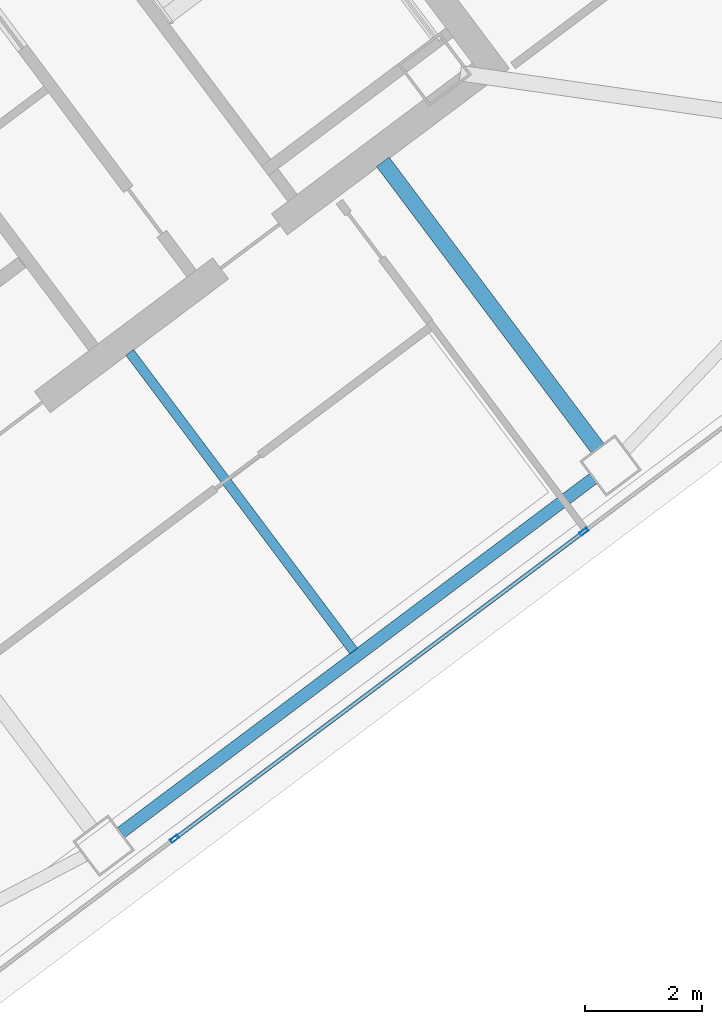
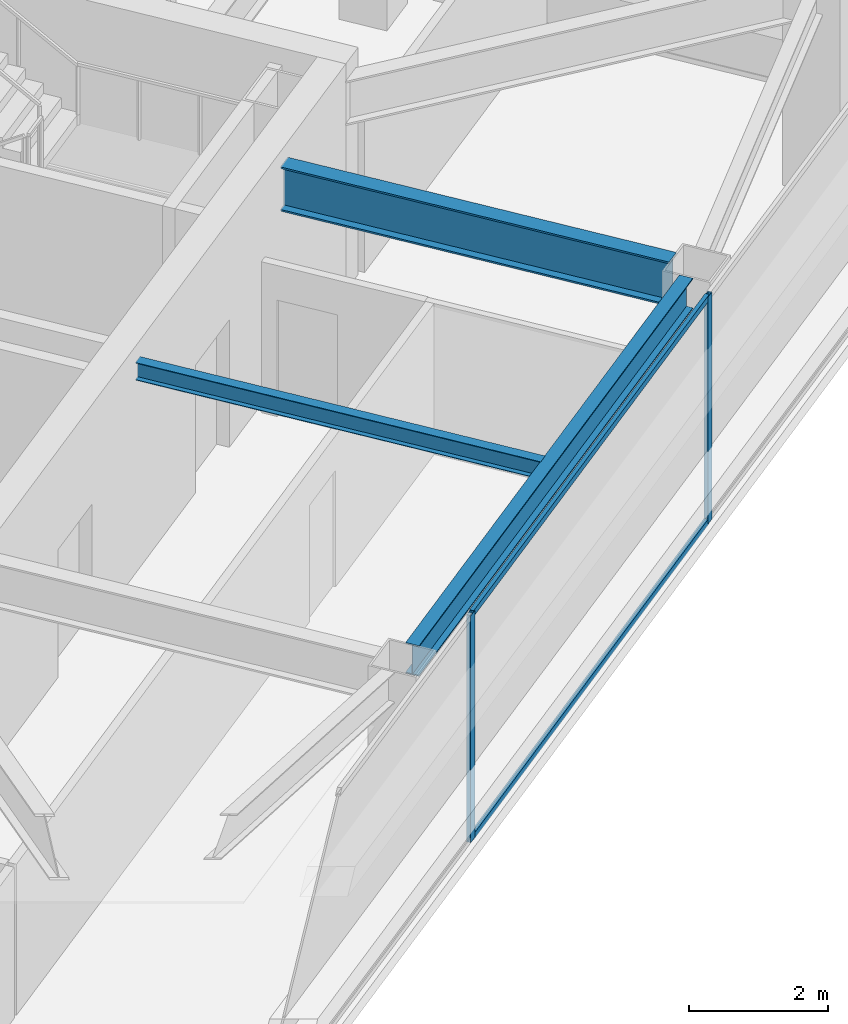
# One storey, part 31 of 51: 4 members, 3 beams, 1 element without a shape of its own.
"""IFC4 building model written with IfcOpenShell, lengths in metres."""

import ifcopenshell
import ifcopenshell.guid

model = None  # the IFC model being written
_history = None  # IfcOwnerHistory: only IFC2X3 demands one
_inside = {}  # id of a spatial element -> (the spatial element, [elements in it])
_under = {}  # id of a project, library or spatial element -> (it, [spatial elements below it])
_declared = {}  # id of a project -> (the project, [libraries it declares])
_typed = {}  # id of a type object -> (the type object, [elements of that type])
_made_of = {}  # id of a material, layer set ... -> (it, [elements and type objects made of it])


def new_model(schema):
    """Start an empty IFC model of exactly this schema.

    Asked for "IFC4X3", IfcOpenShell would pick the latest addendum, in which some entities
    have other attributes; the version numbers below select the first issue.
    IFC2X3 requires an IfcOwnerHistory on every rooted entity: one is made here for all.
    """
    global model, _history
    if schema == "IFC4X3":
        model = ifcopenshell.file(schema_version=(4, 3, 0, 0))
    else:
        model = ifcopenshell.file(schema=schema)
    _inside.clear()
    _under.clear()
    _declared.clear()
    _typed.clear()
    _made_of.clear()
    _history = None
    if model.schema == "IFC2X3":
        org = make("IfcOrganization", Name="unknown")
        user = make(
            "IfcPersonAndOrganization",
            ThePerson=make("IfcPerson", FamilyName="unknown"),
            TheOrganization=org,
        )
        app = make(
            "IfcApplication",
            ApplicationDeveloper=org,
            Version="unknown",
            ApplicationFullName="unknown",
            ApplicationIdentifier="unknown",
        )
        _history = make(
            "IfcOwnerHistory",
            OwningUser=user,
            OwningApplication=app,
            ChangeAction="ADDED",
            CreationDate=0,
        )
    return model


def make(cls, **values):
    """One entity of the class cls with the attributes given. An attribute that is None is left unset."""
    return model.create_entity(
        cls, **{name: value for name, value in values.items() if value is not None}
    )


def rooted(cls, **values):
    """An entity with a GlobalId (a new one), such as an element, a storey or a relation."""
    return make(cls, GlobalId=ifcopenshell.guid.new(), OwnerHistory=_history, **values)


def si_unit(unit_type, name, prefix=None):
    """IfcSIUnit, for example si_unit("LENGTHUNIT", "METRE", prefix="MILLI")."""
    return make("IfcSIUnit", UnitType=unit_type, Prefix=prefix, Name=name)


def assignment(units):
    """IfcUnitAssignment: the units of a project."""
    return None if units is None else make("IfcUnitAssignment", Units=units)


def point(xyz):
    """IfcCartesianPoint."""
    return None if xyz is None else make("IfcCartesianPoint", Coordinates=xyz)


def direction(xyz):
    """IfcDirection."""
    return None if xyz is None else make("IfcDirection", DirectionRatios=xyz)


def frame(location, z_axis=None, x_axis=None):
    """IfcAxis2Placement3D, a coordinate frame: its origin and axes. An axis left out is left unset."""
    return make(
        "IfcAxis2Placement3D",
        Location=point(location),
        Axis=direction(z_axis),
        RefDirection=direction(x_axis),
    )


def frame_2d(location, x_axis=None):
    """IfcAxis2Placement2D, a coordinate frame in the plane: its origin and x axis."""
    return make(
        "IfcAxis2Placement2D", Location=point(location), RefDirection=direction(x_axis)
    )


def origin():
    """The frame at (0, 0, 0) with its axes left unset."""
    return frame((0.0, 0.0, 0.0))


def origin_2d():
    """The frame at (0, 0) in the plane with its x axis left unset."""
    return frame_2d((0.0, 0.0))


def place(relative_to, where):
    """IfcLocalPlacement: puts the frame where relative to a parent placement (None: the world)."""
    return make(
        "IfcLocalPlacement", PlacementRelTo=relative_to, RelativePlacement=where
    )


def context(
    kind, dimensions, precision=None, world=None, true_north=None, identifier=None
):
    """IfcGeometricRepresentationContext, for example the 3D "Model" context."""
    return make(
        "IfcGeometricRepresentationContext",
        ContextIdentifier=identifier,
        ContextType=kind,
        CoordinateSpaceDimension=dimensions,
        Precision=precision,
        WorldCoordinateSystem=world,
        TrueNorth=true_north,
    )


def subcontext(parent, identifier, kind, view, scale=None):
    """IfcGeometricRepresentationSubContext, for example "Body" below "Model"."""
    return make(
        "IfcGeometricRepresentationSubContext",
        ContextIdentifier=identifier,
        ContextType=kind,
        ParentContext=parent,
        TargetScale=scale,
        TargetView=view,
    )


def project(units=None, contexts=None):
    """IfcProject with its units and contexts."""
    return rooted(
        "IfcProject",
        Name="project",
        RepresentationContexts=contexts,
        UnitsInContext=assignment(units),
    )


def spatial(cls, under=None, at=None, **own):
    """A site, building, storey or space (cls), placed at a placement, below another one or the project."""
    s = rooted(cls, ObjectPlacement=at, **own)
    if under is not None:
        _under.setdefault(under.id(), (under, []))[1].append(s)
    return s


def profile(cls, at=None, kind="AREA", **sizes):
    """A parametric profile (cls). Its sizes go by their IFC names, for example OverallWidth=200.0."""
    return make(cls, ProfileType=kind, Position=at, **sizes)


def hollow_rectangle(**sizes):
    """IfcRectangleHollowProfileDef."""
    return profile("IfcRectangleHollowProfileDef", **sizes)


def i_section(**sizes):
    """IfcIShapeProfileDef."""
    return profile("IfcIShapeProfileDef", **sizes)


def extrude(swept, where, along, depth):
    """IfcExtrudedAreaSolid: the profile swept, set in the frame where, extruded along a direction by depth."""
    return make(
        "IfcExtrudedAreaSolid",
        SweptArea=swept,
        Position=where,
        ExtrudedDirection=direction(along),
        Depth=depth,
    )


def shape(context_of_items, identifier, shape_type, items):
    """IfcShapeRepresentation: the items that make up one representation, for example the "Body"."""
    return make(
        "IfcShapeRepresentation",
        ContextOfItems=context_of_items,
        RepresentationIdentifier=identifier,
        RepresentationType=shape_type,
        Items=items,
    )


def material(Name=None, Category=None):
    """IfcMaterial."""
    return make("IfcMaterial", Name=Name, Category=Category)


def material_profile(
    of_material, cross_section, Name=None, Category=None, Priority=None
):
    """IfcMaterialProfile: a cross section and its material."""
    return make(
        "IfcMaterialProfile",
        Name=Name,
        Material=of_material,
        Profile=cross_section,
        Priority=Priority,
        Category=Category,
    )


def profile_set(profiles, Name=None, composite=None):
    """IfcMaterialProfileSet."""
    return make(
        "IfcMaterialProfileSet",
        Name=Name,
        MaterialProfiles=profiles,
        CompositeProfile=composite,
    )


def made_of(thing, what):
    """Note that an element or type object is made of a material, layer set ...; save() writes the relation."""
    if what is not None:
        _made_of.setdefault(what.id(), (what, []))[1].append(thing)
    return thing


def type_object(cls, material=None, **own):
    """A type object (cls), such as IfcWallType, which elements share."""
    return made_of(rooted(cls, **own), material)


def element(
    cls,
    number,
    at=None,
    inside=None,
    cuts=None,
    type_object=None,
    material=None,
    context=None,
    identifier="Body",
    shape_type=None,
    held_by="IfcProductDefinitionShape",
    body=None,
    shapes=None,
    **own,
):
    """One element of the class cls, such as IfcWall. Its Tag is "e" and its number.

    at: its placement. inside: the storey or other place that contains it. cuts: it is an
    opening in that element (IfcRelVoidsElement). A single representation is given by context,
    identifier, shape_type and body (its items); several are given by shapes. held_by: the class
    of the entity that holds the representations. save() writes the other relations.
    """
    e = rooted(cls, Tag="e%d" % number, ObjectPlacement=at, **own)
    if body is not None:
        shapes = [shape(context, identifier, shape_type, body)]
    if shapes is not None:
        e.Representation = make(held_by, Representations=shapes)
    if inside is not None:
        _inside.setdefault(inside.id(), (inside, []))[1].append(e)
    if cuts is not None:
        rooted(
            "IfcRelVoidsElement", RelatingBuildingElement=cuts, RelatedOpeningElement=e
        )
    if type_object is not None:
        _typed.setdefault(type_object.id(), (type_object, []))[1].append(e)
    return made_of(e, material)


def aggregate(whole, parts):
    """IfcRelAggregates: a whole, such as a stair, and the parts it consists of."""
    return rooted("IfcRelAggregates", RelatingObject=whole, RelatedObjects=parts)


def save(model, path):
    """Write the relations noted so far, then the file.

    IfcRelAggregates (storeys below a building ...), IfcRelContainedInSpatialStructure (elements
    in a storey), IfcRelDefinesByType, IfcRelAssociatesMaterial and IfcRelDeclares: one each for
    every whole, place, type object, material and project.
    """
    for whole, parts in _under.values():
        aggregate(whole, parts)
    for where, things in _inside.values():
        rooted(
            "IfcRelContainedInSpatialStructure",
            RelatedElements=things,
            RelatingStructure=where,
        )
    for kind, things in _typed.values():
        rooted("IfcRelDefinesByType", RelatedObjects=things, RelatingType=kind)
    for what, things in _made_of.values():
        rooted("IfcRelAssociatesMaterial", RelatedObjects=things, RelatingMaterial=what)
    for by, libraries in _declared.values():
        rooted("IfcRelDeclares", RelatingContext=by, RelatedDefinitions=libraries)
    model.write(path)


model = new_model("IFC4")

# Units and contexts
model_context = context("Model", 3, precision=1e-05, world=origin(), true_north=direction((0.0, 1.0)))
body_context = subcontext(model_context, "Body", "Model", "MODEL_VIEW")
ifc_project = project(units=[si_unit("LENGTHUNIT", "METRE"), si_unit("AREAUNIT", "SQUARE_METRE"), si_unit("VOLUMEUNIT", "CUBIC_METRE"), si_unit("PLANEANGLEUNIT", "RADIAN"), si_unit("MASSUNIT", "GRAM", prefix="KILO")], contexts=[model_context])

# Site, building, storey
site_placement = place(None, origin())
site = spatial("IfcSite", under=ifc_project, at=site_placement, CompositionType="ELEMENT")
building_placement = place(site_placement, origin())
building = spatial("IfcBuilding", under=site, at=building_placement, Name="Tashvorn Skyway Center", CompositionType="ELEMENT")
storey_placement = place(building_placement, frame((0.0, 0.0, 259.39990234375)))
storey = spatial("IfcBuildingStorey", under=building, at=storey_placement, Name="L70", CompositionType="ELEMENT", Elevation=259.39990234375)

# Beams
ifc_material_1 = material(Name="Steel ASTM A992 Grade 50", Category="steel")
ifc_material_profile_1 = material_profile(ifc_material_1, i_section(OverallWidth=0.26708984375, OverallDepth=0.779052734375, WebThickness=0.0166015625, FlangeThickness=0.030029296875, at=origin_2d()), Name="W30X148")
ifc_profile_set_1 = profile_set([ifc_material_profile_1], Name="Steel ASTM A992 Grade 50")
beam_type_1 = type_object("IfcBeamType", Name="BM-BEAM-W30X148", PredefinedType="BEAM", material=ifc_profile_set_1)
beam_1_placement = place(storey_placement, frame((126.64794921875, 24.135986328125, 3.310546875), z_axis=(-0.599980788915, 0.800014407953, 0.0), x_axis=(-0.800014407953, -0.599980788915, 0.0)))
element("IfcBeam", 1, at=beam_1_placement, inside=storey, type_object=beam_type_1, Name="Tower 2 L70 Primary Floor Girder FC-S2", PredefinedType="BEAM", context=body_context, shape_type="SweptSolid", body=[
    extrude(i_section(OverallWidth=0.26708984375, OverallDepth=0.779052734375, WebThickness=0.0166015625, FlangeThickness=0.030029296875, at=origin_2d()), origin(), (0.0, 0.0, 1.0), 6.10009765625),
])
ifc_material_profile_2 = material_profile(ifc_material_1, i_section(OverallWidth=0.1650390625, OverallDepth=0.31005859375, WebThickness=0.005859375, FlangeThickness=0.009765625, at=origin_2d()), Name="W12X26")
ifc_profile_set_2 = profile_set([ifc_material_profile_2], Name="Steel ASTM A992 Grade 50")
beam_type_2 = type_object("IfcBeamType", Name="BM-JOIST-W12X26", PredefinedType="JOIST", material=ifc_profile_set_2)
beam_2_placement = place(storey_placement, frame((118.674072265625, 25.76806640625, 3.545166015625), z_axis=(0.599981581373, -0.800013813639, 0.0), x_axis=(0.800013813639, 0.599981581373, 0.0)))
element("IfcBeam", 2, at=beam_2_placement, inside=storey, type_object=beam_type_2, Name="Tower 2 L70 Secondary Composite Joist JS", PredefinedType="JOIST", context=body_context, shape_type="SweptSolid", body=[
    extrude(i_section(OverallWidth=0.1650390625, OverallDepth=0.31005859375, WebThickness=0.005859375, FlangeThickness=0.009765625, at=origin_2d()), origin(), (0.0, 0.0, 1.0), 6.362548828125),
])
ifc_material_profile_3 = material_profile(ifc_material_1, i_section(OverallWidth=0.2109375, OverallDepth=0.5390625, WebThickness=0.01171875, FlangeThickness=0.018798828125, at=origin_2d()), Name="W21X73")
ifc_profile_set_3 = profile_set([ifc_material_profile_3], Name="Steel ASTM A992 Grade 50")
beam_type_3 = type_object("IfcBeamType", Name="BM-SPANDREL-W21X73", PredefinedType="SPANDREL", material=ifc_profile_set_3)
beam_3_placement = place(storey_placement, frame((118.52587890625, 17.58203125, 3.4306640625), z_axis=(0.800008736549, 0.599988351091, 0.0), x_axis=(-0.599988351091, 0.800008736549, 0.0)))
element("IfcBeam", 3, at=beam_3_placement, inside=storey, type_object=beam_type_3, Name="Tower 2 L70 Spandrel Beam 02", PredefinedType="SPANDREL", context=body_context, shape_type="SweptSolid", body=[
    extrude(i_section(OverallWidth=0.2109375, OverallDepth=0.5390625, WebThickness=0.01171875, FlangeThickness=0.018798828125, at=origin_2d()), origin(), (0.0, 0.0, 1.0), 10.06005859375),
])

# Curtain wall, members
ifc_material_2 = material(Name="Thermally broken bronze-anodized aluminium 6063-T6", Category="aluminium")
curtain_wall_type = type_object("IfcCurtainWallType", Name="CW-CW-SKY", PredefinedType="NOTDEFINED", material=ifc_material_2)
curtain_wall_placement = place(storey_placement, origin())
curtain_wall = element("IfcCurtainWall", 4, at=curtain_wall_placement, inside=storey, type_object=curtain_wall_type, Name="Tower 2 L70 South Unitised Curtain Wall", PredefinedType="NOTDEFINED")
ifc_material_profile_4 = material_profile(ifc_material_2, hollow_rectangle(XDim=0.06494140625, YDim=0.14990234375, WallThickness=0.00390625, at=origin_2d()), Name="ALU-MULL-65x150")
ifc_profile_set_4 = profile_set([ifc_material_profile_4], Name="Thermally broken bronze-anodized aluminium 6063-T6")
member_type_1 = type_object("IfcMemberType", Name="CWM-CW-SKY", PredefinedType="MULLION", material=ifc_profile_set_4)
member_1_placement = place(storey_placement, frame((126.416015625, 22.7119140625, 0.0), z_axis=(0.0, 0.0, 1.0), x_axis=(0.600000000002, -0.799999999998, 0.0)))
member_1 = element("IfcMember", 5, at=member_1_placement, type_object=member_type_1, Name="CW-SKY mullion 2", PredefinedType="MULLION", context=body_context, shape_type="SweptSolid", body=[
    extrude(hollow_rectangle(XDim=0.06494140625, YDim=0.14990234375, WallThickness=0.00390625, at=origin_2d()), origin(), (0.0, 0.0, 1.0), 4.0),
])
member_2_placement = place(storey_placement, frame((119.43994140625, 17.47998046875, 0.0), z_axis=(0.0, 0.0, 1.0), x_axis=(0.600000000002, -0.799999999998, 0.0)))
member_2 = element("IfcMember", 6, at=member_2_placement, type_object=member_type_1, Name="CW-SKY mullion 3", PredefinedType="MULLION", context=body_context, shape_type="SweptSolid", body=[
    extrude(hollow_rectangle(XDim=0.06494140625, YDim=0.14990234375, WallThickness=0.00390625, at=origin_2d()), origin(), (0.0, 0.0, 1.0), 4.0),
])
ifc_material_profile_5 = material_profile(ifc_material_2, hollow_rectangle(XDim=0.06494140625, YDim=0.10498046875, WallThickness=0.00390625, at=origin_2d()), Name="ALU-TRAN-65x105")
ifc_profile_set_5 = profile_set([ifc_material_profile_5], Name="Thermally broken bronze-anodized aluminium 6063-T6")
member_type_2 = type_object("IfcMemberType", Name="CWT-CW-SKY", PredefinedType="USERDEFINED", material=ifc_profile_set_5)
member_3_placement = place(storey_placement, frame((126.389892578125, 22.6923828125, 0.03271484375), z_axis=(-0.8, -0.6, 0.0), x_axis=(0.6, -0.8, 0.0)))
member_3 = element("IfcMember", 7, at=member_3_placement, type_object=member_type_2, Name="CW-SKY transom 2.1", ObjectType="TRANSOM", PredefinedType="USERDEFINED", context=body_context, shape_type="SweptSolid", body=[
    extrude(hollow_rectangle(XDim=0.06494140625, YDim=0.10498046875, WallThickness=0.00390625, at=origin_2d()), origin(), (0.0, 0.0, 1.0), 8.65478515625),
])
member_4_placement = place(storey_placement, frame((126.389892578125, 22.6923828125, 3.967529296875), z_axis=(-0.8, -0.6, 0.0), x_axis=(0.6, -0.8, 0.0)))
member_4 = element("IfcMember", 8, at=member_4_placement, type_object=member_type_2, Name="CW-SKY transom 2.2", ObjectType="TRANSOM", PredefinedType="USERDEFINED", context=body_context, shape_type="SweptSolid", body=[
    extrude(hollow_rectangle(XDim=0.06494140625, YDim=0.10498046875, WallThickness=0.00390625, at=origin_2d()), origin(), (0.0, 0.0, 1.0), 8.65478515625),
])
aggregate(curtain_wall, [member_1, member_2, member_3, member_4])

save(model, "model.ifc")
